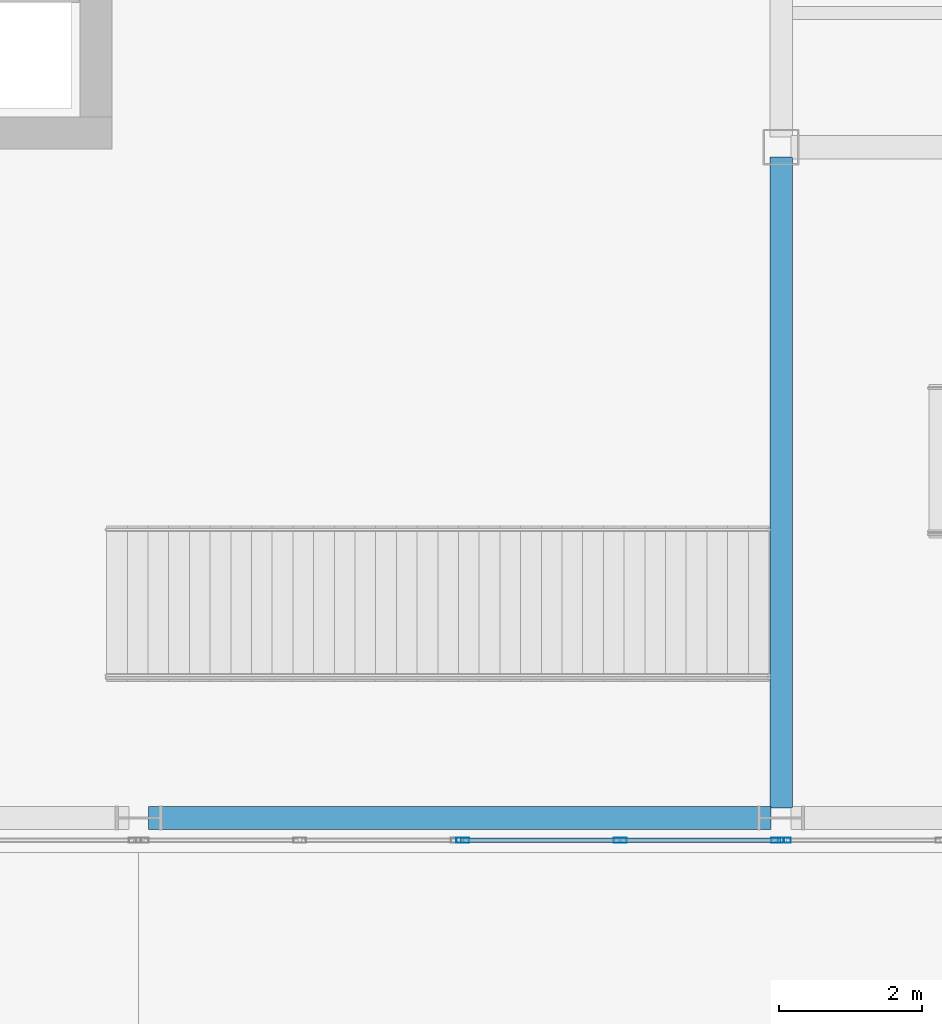
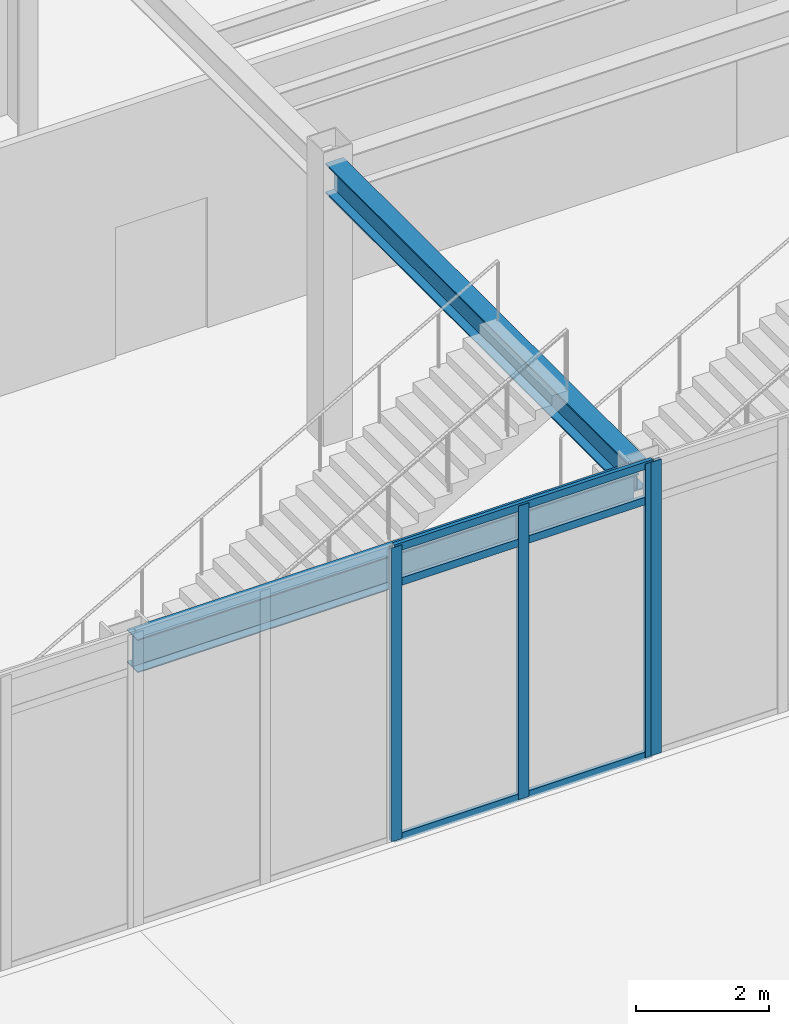
# One storey, part 50 of 94: 7 members, 2 beams, 2 elements without a shape of their own.
"""IFC4 building model written with IfcOpenShell, lengths in metres."""

from ifc_helpers import new_model, si_unit, direction, frame, origin, origin_2d, place, context, subcontext, project, spatial, hollow_rectangle, i_section, extrude, material, layer, layer_set, material_profile, profile_set, type_object, element, aggregate, save


model = new_model("IFC4")

# Units and contexts
model_context = context("Model", 3, precision=1e-05, world=origin(), true_north=direction((0.0, 1.0)))
body_context = subcontext(model_context, "Body", "Model", "MODEL_VIEW")
ifc_project = project(units=[si_unit("LENGTHUNIT", "METRE"), si_unit("AREAUNIT", "SQUARE_METRE"), si_unit("VOLUMEUNIT", "CUBIC_METRE"), si_unit("PLANEANGLEUNIT", "RADIAN"), si_unit("MASSUNIT", "GRAM", prefix="KILO")], contexts=[model_context])

# Site, building, storey
site_placement = place(None, origin())
site = spatial("IfcSite", under=ifc_project, at=site_placement, CompositionType="ELEMENT")
building_placement = place(site_placement, origin())
building = spatial("IfcBuilding", under=site, at=building_placement, Name="Sollismere Congress Hotel", CompositionType="ELEMENT")
storey_placement = place(building_placement, origin())
storey = spatial("IfcBuildingStorey", under=building, at=storey_placement, Name="L00", CompositionType="ELEMENT", Elevation=0.0)

# Beams
ifc_material_1 = material(Name="Steel ASTM A992 Grade 50", Category="steel")
ifc_material_profile_1 = material_profile(ifc_material_1, i_section(OverallWidth=0.31494140625, OverallDepth=0.551025390625, WebThickness=0.01513671875, FlangeThickness=0.0244140625, at=origin_2d()), Name="W21X122")
ifc_profile_set_1 = profile_set([ifc_material_profile_1], Name="Steel ASTM A992 Grade 50")
beam_type_1 = type_object("IfcBeamType", Name="BM-G21H", PredefinedType="BEAM", material=ifc_profile_set_1)
beam_1_placement = place(storey_placement, frame((94.0, 66.93994140625, 4.839599609375), z_axis=(0.0, 1.0, 0.0), x_axis=(-1.0, 0.0, 0.0)))
element("IfcBeam", 1, at=beam_1_placement, inside=storey, type_object=beam_type_1, Name="Beam BM-L00-1267", PredefinedType="BEAM", context=body_context, shape_type="SweptSolid", body=[
    extrude(i_section(OverallWidth=0.31494140625, OverallDepth=0.551025390625, WebThickness=0.01513671875, FlangeThickness=0.0244140625, at=origin_2d()), origin(), (0.0, 0.0, 1.0), 9.1201171875),
])
ifc_material_profile_2 = material_profile(ifc_material_1, i_section(OverallWidth=0.324951171875, OverallDepth=0.612060546875, WebThickness=0.0126953125, FlangeThickness=0.01904296875, at=origin_2d()), Name="W24X104")
ifc_profile_set_2 = profile_set([ifc_material_profile_2], Name="Steel ASTM A992 Grade 50")
beam_type_2 = type_object("IfcBeamType", Name="BM-G24", PredefinedType="BEAM", material=ifc_profile_set_2)
beam_2_placement = place(storey_placement, frame((85.139892578125, 66.800048828125, 4.80908203125), z_axis=(1.0, 0.0, 0.0), x_axis=(0.0, 1.0, 0.0)))
element("IfcBeam", 2, at=beam_2_placement, inside=storey, type_object=beam_type_2, Name="Beam BM-L00-1192", PredefinedType="BEAM", context=body_context, shape_type="SweptSolid", body=[
    extrude(i_section(OverallWidth=0.324951171875, OverallDepth=0.612060546875, WebThickness=0.0126953125, FlangeThickness=0.01904296875, at=origin_2d()), origin(), (0.0, 0.0, 1.0), 8.72021484375),
])

# Curtain wall, members
ifc_material_2 = material(Name="Anodized Bronze Curtain Wall & Low-E Triple Glazing", Category="glass")
ifc_layer = layer(ifc_material_2, 0.199951171875, Name="Anodized Bronze Curtain Wall & Low-E Triple Glazing")
ifc_layer_set = layer_set([ifc_layer], Name="Anodized Bronze Curtain Wall & Low-E Triple Glazing")
curtain_wall_type = type_object("IfcCurtainWallType", Name="CW-GLZ36", PredefinedType="USERDEFINED", material=ifc_layer_set)
curtain_wall_1_placement = place(storey_placement, origin())
curtain_wall_1 = element("IfcCurtainWall", 3, at=curtain_wall_1_placement, inside=storey, type_object=curtain_wall_type, Name="Unitised curtain wall CW-L00-078", ObjectType="UNITISED CURTAIN WALL", PredefinedType="USERDEFINED")
ifc_material_3 = material(Name="Anodized Aluminum 6063-T6", Category="aluminium")
ifc_material_profile_3 = material_profile(ifc_material_3, hollow_rectangle(XDim=0.074951171875, YDim=0.179931640625, WallThickness=0.0048828125, at=origin_2d()), Name="ALU180X75X5")
ifc_profile_set_3 = profile_set([ifc_material_profile_3], Name="Anodized Aluminum 6063-T6")
member_type_1 = type_object("IfcMemberType", Name="ML-CW180", PredefinedType="MULLION", material=ifc_profile_set_3)
member_1_placement = place(storey_placement, frame((89.5380859375, 66.489990234375, 0.0), z_axis=(0.0, 0.0, 1.0), x_axis=(0.0, 1.0, 0.0)))
member_1 = element("IfcMember", 4, at=member_1_placement, type_object=member_type_1, Name="CWL-CW-L00-078-ML01", PredefinedType="MULLION", context=body_context, shape_type="SweptSolid", body=[
    extrude(hollow_rectangle(XDim=0.074951171875, YDim=0.179931640625, WallThickness=0.0048828125, at=origin_2d()), origin(), (0.0, 0.0, 1.0), 5.39990234375),
])
member_2_placement = place(storey_placement, frame((91.7451171875, 66.489990234375, 0.0), z_axis=(0.0, 0.0, 1.0), x_axis=(0.0, 1.0, 0.0)))
member_2 = element("IfcMember", 5, at=member_2_placement, type_object=member_type_1, Name="CWL-CW-L00-078-ML02", PredefinedType="MULLION", context=body_context, shape_type="SweptSolid", body=[
    extrude(hollow_rectangle(XDim=0.074951171875, YDim=0.179931640625, WallThickness=0.0048828125, at=origin_2d()), origin(), (0.0, 0.0, 1.0), 5.39990234375),
])
member_3_placement = place(storey_placement, frame((93.951904296875, 66.489990234375, 0.0), z_axis=(0.0, 0.0, 1.0), x_axis=(0.0, 1.0, 0.0)))
member_3 = element("IfcMember", 6, at=member_3_placement, type_object=member_type_1, Name="CWL-CW-L00-078-ML03", PredefinedType="MULLION", context=body_context, shape_type="SweptSolid", body=[
    extrude(hollow_rectangle(XDim=0.074951171875, YDim=0.179931640625, WallThickness=0.0048828125, at=origin_2d()), origin(), (0.0, 0.0, 1.0), 5.39990234375),
])

# Curtain wall, member
curtain_wall_2_placement = place(storey_placement, origin())
curtain_wall_2 = element("IfcCurtainWall", 7, at=curtain_wall_2_placement, inside=storey, type_object=curtain_wall_type, Name="Unitised curtain wall CW-L00-079", ObjectType="UNITISED CURTAIN WALL", PredefinedType="USERDEFINED")
member_4_placement = place(storey_placement, frame((94.048095703125, 66.489990234375, 0.0), z_axis=(0.0, 0.0, 1.0), x_axis=(0.0, 1.0, 0.0)))
member_4 = element("IfcMember", 8, at=member_4_placement, type_object=member_type_1, Name="CWL-CW-L00-079-ML01", PredefinedType="MULLION", context=body_context, shape_type="SweptSolid", body=[
    extrude(hollow_rectangle(XDim=0.074951171875, YDim=0.179931640625, WallThickness=0.0048828125, at=origin_2d()), origin(), (0.0, 0.0, 1.0), 5.39990234375),
])
aggregate(curtain_wall_2, [member_4])

# Member
ifc_material_profile_4 = material_profile(ifc_material_3, hollow_rectangle(XDim=0.06494140625, YDim=0.139892578125, WallThickness=0.00390625, at=origin_2d()), Name="ALU140X65X4")
ifc_profile_set_4 = profile_set([ifc_material_profile_4], Name="Anodized Aluminum 6063-T6")
member_type_2 = type_object("IfcMemberType", Name="TR-CW150", PredefinedType="MEMBER", material=ifc_profile_set_4)
member_5_placement = place(storey_placement, frame((89.5, 66.489990234375, 0.032470703125), z_axis=(1.0, 0.0, 0.0), x_axis=(0.0, 1.0, 0.0)))
member_5 = element("IfcMember", 9, at=member_5_placement, type_object=member_type_2, Name="CWL-CW-L00-078-TR1", PredefinedType="MEMBER", context=body_context, shape_type="SweptSolid", body=[
    extrude(hollow_rectangle(XDim=0.06494140625, YDim=0.139892578125, WallThickness=0.00390625, at=origin_2d()), origin(), (0.0, 0.0, 1.0), 4.489990234375),
])

member_6_placement = place(storey_placement, frame((89.5, 66.489990234375, 4.719970703125), z_axis=(1.0, 0.0, 0.0), x_axis=(0.0, 1.0, 0.0)))
member_6 = element("IfcMember", 10, at=member_6_placement, type_object=member_type_2, Name="CWL-CW-L00-078-TR2", PredefinedType="MEMBER", context=body_context, shape_type="SweptSolid", body=[
    extrude(hollow_rectangle(XDim=0.06494140625, YDim=0.139892578125, WallThickness=0.00390625, at=origin_2d()), origin(), (0.0, 0.0, 1.0), 4.489990234375),
])

member_7_placement = place(storey_placement, frame((89.5, 66.489990234375, 5.367431640625), z_axis=(1.0, 0.0, 0.0), x_axis=(0.0, 1.0, 0.0)))
member_7 = element("IfcMember", 11, at=member_7_placement, type_object=member_type_2, Name="CWL-CW-L00-078-TR3", PredefinedType="MEMBER", context=body_context, shape_type="SweptSolid", body=[
    extrude(hollow_rectangle(XDim=0.06494140625, YDim=0.139892578125, WallThickness=0.00390625, at=origin_2d()), origin(), (0.0, 0.0, 1.0), 4.489990234375),
])

aggregate(curtain_wall_1, [member_1, member_2, member_3, member_5, member_6, member_7])

save(model, "model.ifc")
